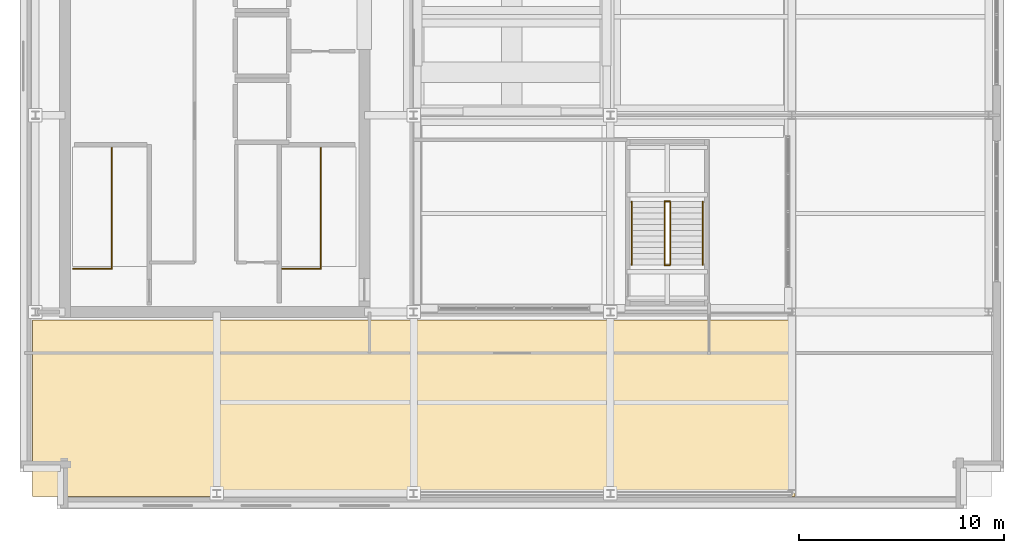
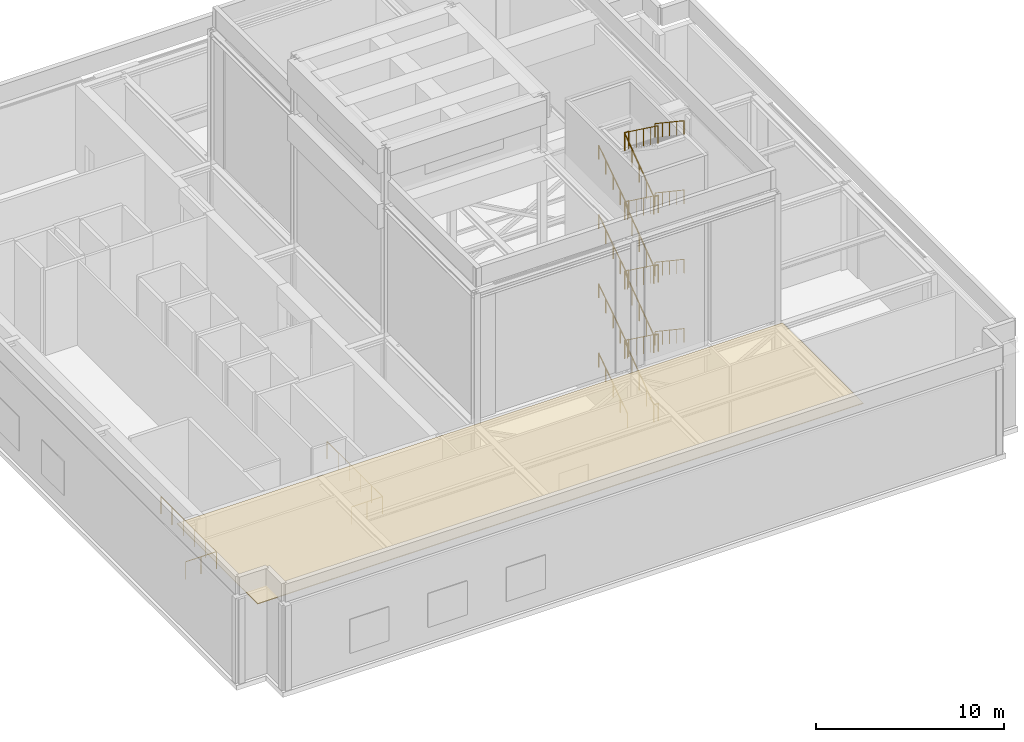
# One storey, part 16 of 17: 26 railings, 1 covering.
"""IFC4 building model written with IfcOpenShell, lengths in metres."""

from ifc_helpers import new_model, si_unit, direction, frame, origin, origin_2d, place, context, subcontext, project, spatial, polyline, circle, outline, extrude, material, layer, layer_set, type_object, element, save


model = new_model("IFC4")

# Units and contexts
model_context = context("Model", 3, precision=1e-05, world=origin(), true_north=direction((0.0, 1.0)))
body_context = subcontext(model_context, "Body", "Model", "MODEL_VIEW")
ifc_project = project(units=[si_unit("LENGTHUNIT", "METRE"), si_unit("AREAUNIT", "SQUARE_METRE"), si_unit("VOLUMEUNIT", "CUBIC_METRE"), si_unit("PLANEANGLEUNIT", "RADIAN"), si_unit("MASSUNIT", "GRAM", prefix="KILO")], contexts=[model_context])

# Site, building, storey
site_placement = place(None, origin())
site = spatial("IfcSite", under=ifc_project, at=site_placement, CompositionType="ELEMENT")
building_placement = place(site_placement, origin())
building = spatial("IfcBuilding", under=site, at=building_placement, Name="Norrvale University Quadrangle", CompositionType="ELEMENT")
storey_placement = place(building_placement, frame((0.0, 0.0, 308.0)))
storey = spatial("IfcBuildingStorey", under=building, at=storey_placement, Name="L78", CompositionType="ELEMENT", Elevation=308.0)

# Covering
ifc_material_1 = material(Name="Inverted EPDM Roofing Membrane")
ifc_layer = layer(ifc_material_1, 0.044921875, Name="Inverted EPDM Roofing Membrane")
ifc_layer_set = layer_set([ifc_layer], Name="Inverted EPDM Roofing Membrane")
covering_type = type_object("IfcCoveringType", Name="Covering Roof Membrane 45", PredefinedType="ROOFING", material=ifc_layer_set)
covering_placement = place(storey_placement, frame((0.0, 0.0, 5.800048828125)))
element("IfcCovering", 1, at=covering_placement, inside=storey, type_object=covering_type, Name="Crown Waterproofing Membrane 1", PredefinedType="ROOFING", context=body_context, shape_type="SweptSolid", body=[
    extrude(outline(polyline([(0.60009765625, 0.60009765625), (37.800048828125, 0.60009765625), (37.800048828125, 9.199951171875), (0.60009765625, 9.199951171875), (0.60009765625, 0.60009765625)])), origin(), (0.0, 0.0, 1.0), 0.044921875),
])

# Railings
ifc_material_2 = material(Name="Steel 350W Painted Balustrade", Category="steel")
railing_type_1 = type_object("IfcRailingType", Name="Railing Stair Guard 1100", PredefinedType="GUARDRAIL", material=ifc_material_2)
for number, where, name in (
    (2, (2.590087890625, 11.7099609375, 0.0), "Top Stairwell Guard ST-01 L78"),
    (3, (12.7900390625, 11.7099609375, 0.0), "Top Stairwell Guard ST-03 L78"),
):
    element("IfcRailing", number, at=place(storey_placement, frame(where)), inside=storey, type_object=railing_type_1, Name=name, PredefinedType="GUARDRAIL", context=body_context, shape_type="SweptSolid", body=[
        extrude(circle(Radius=0.02392578125, at=origin_2d()), frame((0.0, 0.0, 1.1259765625), z_axis=(1.0, 0.0, 0.0), x_axis=(0.0, 1.0, 0.0)), (0.0, 0.0, 1.0), 1.889892578125),
        extrude(circle(Radius=0.02392578125, at=origin_2d()), frame((1.889892578125, 0.0, 1.1259765625), z_axis=(0.0, 1.0, 0.0), x_axis=(-1.0, 0.0, 0.0)), (0.0, 0.0, 1.0), 5.900146484375),
        extrude(circle(Radius=0.02099609375, at=origin_2d()), origin(), (0.0, 0.0, 1.0), 1.101806640625),
        extrude(circle(Radius=0.02099609375, at=origin_2d()), frame((0.94482421875, 0.0, 0.0)), (0.0, 0.0, 1.0), 1.101806640625),
        extrude(circle(Radius=0.02099609375, at=origin_2d()), frame((1.889892578125, 0.0, 0.0)), (0.0, 0.0, 1.0), 1.101806640625),
        extrude(circle(Radius=0.02099609375, at=origin_2d()), frame((1.889892578125, 1.179931640625, 0.0)), (0.0, 0.0, 1.0), 1.101806640625),
        extrude(circle(Radius=0.02099609375, at=origin_2d()), frame((1.889892578125, 2.360107421875, 0.0)), (0.0, 0.0, 1.0), 1.101806640625),
        extrude(circle(Radius=0.02099609375, at=origin_2d()), frame((1.889892578125, 3.5400390625, 0.0)), (0.0, 0.0, 1.0), 1.101806640625),
        extrude(circle(Radius=0.02099609375, at=origin_2d()), frame((1.889892578125, 4.72021484375, 0.0)), (0.0, 0.0, 1.0), 1.101806640625),
        extrude(circle(Radius=0.02099609375, at=origin_2d()), frame((1.889892578125, 5.900146484375, 0.0)), (0.0, 0.0, 1.0), 1.101806640625),
    ])
railing_1_placement = place(storey_placement, frame((31.43994140625, 11.8701171875, 0.0)))
element("IfcRailing", 4, at=railing_1_placement, inside=storey, type_object=railing_type_1, Name="Stair Floor Well Guard ST-04 L78", PredefinedType="GUARDRAIL", context=body_context, shape_type="SweptSolid", body=[
    extrude(circle(Radius=0.02392578125, at=origin_2d()), frame((0.0, 0.0, 1.1259765625), z_axis=(1.0, 0.0, 0.0), x_axis=(0.0, 1.0, 0.0)), (0.0, 0.0, 1.0), 0.27001953125),
    extrude(circle(Radius=0.02099609375, at=origin_2d()), origin(), (0.0, 0.0, 1.0), 1.101806640625),
    extrude(circle(Radius=0.02099609375, at=origin_2d()), frame((0.27001953125, 0.0, 0.0)), (0.0, 0.0, 1.0), 1.101806640625),
])
railing_2_placement = place(storey_placement, frame((31.43994140625, 11.89990234375, 0.0)))
element("IfcRailing", 5, at=railing_2_placement, inside=storey, type_object=railing_type_1, Name="Crown Stair Flight 1 Inner Guard ST-04 L78", PredefinedType="GUARDRAIL", context=body_context, shape_type="SweptSolid", body=[
    extrude(circle(Radius=0.02392578125, at=origin_2d()), frame((0.0, 0.0, 1.1259765625), z_axis=(0.0, 0.807494308864, 0.589875360692), x_axis=(-1.0, 0.0, 0.0)), (0.0, 0.0, 1.0), 3.814453125),
    extrude(circle(Radius=0.02099609375, at=origin_2d()), origin(), (0.0, 0.0, 1.0), 1.101806640625),
    extrude(circle(Radius=0.02099609375, at=origin_2d()), frame((0.0, 0.77001953125, 0.5625)), (0.0, 0.0, 1.0), 1.101806640625),
    extrude(circle(Radius=0.02099609375, at=origin_2d()), frame((0.0, 1.5400390625, 1.125)), (0.0, 0.0, 1.0), 1.101806640625),
    extrude(circle(Radius=0.02099609375, at=origin_2d()), frame((0.0, 2.31005859375, 1.6875)), (0.0, 0.0, 1.0), 1.101806640625),
    extrude(circle(Radius=0.02099609375, at=origin_2d()), frame((0.0, 3.080078125, 2.25)), (0.0, 0.0, 1.0), 1.101806640625),
])
railing_3_placement = place(storey_placement, frame((31.43994140625, 15.010009765625, 2.25)))
element("IfcRailing", 6, at=railing_3_placement, inside=storey, type_object=railing_type_1, Name="Crown Stair Landing 1 Slot Guard ST-04 L78", PredefinedType="GUARDRAIL", context=body_context, shape_type="SweptSolid", body=[
    extrude(circle(Radius=0.02392578125, at=origin_2d()), frame((0.0, 0.0, 1.1259765625), z_axis=(1.0, 0.0, 0.0), x_axis=(0.0, 1.0, 0.0)), (0.0, 0.0, 1.0), 0.27001953125),
    extrude(circle(Radius=0.02099609375, at=origin_2d()), origin(), (0.0, 0.0, 1.0), 1.101806640625),
    extrude(circle(Radius=0.02099609375, at=origin_2d()), frame((0.27001953125, 0.0, 0.0)), (0.0, 0.0, 1.0), 1.101806640625),
])
railing_4_placement = place(storey_placement, frame((31.7099609375, 14.97998046875, 2.25)))
element("IfcRailing", 7, at=railing_4_placement, inside=storey, type_object=railing_type_1, Name="Crown Stair Flight 2 Inner Guard ST-04 L78", PredefinedType="GUARDRAIL", context=body_context, shape_type="SweptSolid", body=[
    extrude(circle(Radius=0.02392578125, at=origin_2d()), frame((0.0, 0.0, 1.1259765625), z_axis=(0.0, -0.807494308864, 0.589875360692), x_axis=(1.0, 0.0, 0.0)), (0.0, 0.0, 1.0), 3.814453125),
    extrude(circle(Radius=0.02099609375, at=origin_2d()), origin(), (0.0, 0.0, 1.0), 1.101806640625),
    extrude(circle(Radius=0.02099609375, at=origin_2d()), frame((0.0, -0.77001953125, 0.5625)), (0.0, 0.0, 1.0), 1.101806640625),
    extrude(circle(Radius=0.02099609375, at=origin_2d()), frame((0.0, -1.5400390625, 1.125)), (0.0, 0.0, 1.0), 1.101806640625),
    extrude(circle(Radius=0.02099609375, at=origin_2d()), frame((0.0, -2.31005859375, 1.6875)), (0.0, 0.0, 1.0), 1.101806640625),
    extrude(circle(Radius=0.02099609375, at=origin_2d()), frame((0.0, -3.080078125, 2.25)), (0.0, 0.0, 1.0), 1.101806640625),
])
railing_5_placement = place(storey_placement, frame((31.43994140625, 11.8701171875, 4.5)))
element("IfcRailing", 8, at=railing_5_placement, inside=storey, type_object=railing_type_1, Name="Crown Stair Landing 2 Slot Guard ST-04 L78", PredefinedType="GUARDRAIL", context=body_context, shape_type="SweptSolid", body=[
    extrude(circle(Radius=0.02392578125, at=origin_2d()), frame((0.0, 0.0, 1.1259765625), z_axis=(1.0, 0.0, 0.0), x_axis=(0.0, 1.0, 0.0)), (0.0, 0.0, 1.0), 0.27001953125),
    extrude(circle(Radius=0.02099609375, at=origin_2d()), origin(), (0.0, 0.0, 1.0), 1.101806640625),
    extrude(circle(Radius=0.02099609375, at=origin_2d()), frame((0.27001953125, 0.0, 0.0)), (0.0, 0.0, 1.0), 1.101806640625),
])
railing_6_placement = place(storey_placement, frame((31.43994140625, 11.89990234375, 4.5)))
element("IfcRailing", 9, at=railing_6_placement, inside=storey, type_object=railing_type_1, Name="Crown Stair Flight 3 Inner Guard ST-04 L78", PredefinedType="GUARDRAIL", context=body_context, shape_type="SweptSolid", body=[
    extrude(circle(Radius=0.02392578125, at=origin_2d()), frame((0.0, 0.0, 1.1259765625), z_axis=(0.0, 0.807494308864, 0.589875360692), x_axis=(-1.0, 0.0, 0.0)), (0.0, 0.0, 1.0), 3.814453125),
    extrude(circle(Radius=0.02099609375, at=origin_2d()), origin(), (0.0, 0.0, 1.0), 1.101806640625),
    extrude(circle(Radius=0.02099609375, at=origin_2d()), frame((0.0, 0.77001953125, 0.5625)), (0.0, 0.0, 1.0), 1.101806640625),
    extrude(circle(Radius=0.02099609375, at=origin_2d()), frame((0.0, 1.5400390625, 1.125)), (0.0, 0.0, 1.0), 1.101806640625),
    extrude(circle(Radius=0.02099609375, at=origin_2d()), frame((0.0, 2.31005859375, 1.6875)), (0.0, 0.0, 1.0), 1.101806640625),
    extrude(circle(Radius=0.02099609375, at=origin_2d()), frame((0.0, 3.080078125, 2.25)), (0.0, 0.0, 1.0), 1.101806640625),
])
railing_7_placement = place(storey_placement, frame((31.43994140625, 15.010009765625, 6.75)))
element("IfcRailing", 10, at=railing_7_placement, inside=storey, type_object=railing_type_1, Name="Crown Stair Landing 3 Slot Guard ST-04 L78", PredefinedType="GUARDRAIL", context=body_context, shape_type="SweptSolid", body=[
    extrude(circle(Radius=0.02392578125, at=origin_2d()), frame((0.0, 0.0, 1.1259765625), z_axis=(1.0, 0.0, 0.0), x_axis=(0.0, 1.0, 0.0)), (0.0, 0.0, 1.0), 0.27001953125),
    extrude(circle(Radius=0.02099609375, at=origin_2d()), origin(), (0.0, 0.0, 1.0), 1.101806640625),
    extrude(circle(Radius=0.02099609375, at=origin_2d()), frame((0.27001953125, 0.0, 0.0)), (0.0, 0.0, 1.0), 1.101806640625),
])
railing_8_placement = place(storey_placement, frame((31.7099609375, 14.97998046875, 6.75)))
element("IfcRailing", 11, at=railing_8_placement, inside=storey, type_object=railing_type_1, Name="Crown Stair Flight 4 Inner Guard ST-04 L78", PredefinedType="GUARDRAIL", context=body_context, shape_type="SweptSolid", body=[
    extrude(circle(Radius=0.02392578125, at=origin_2d()), frame((0.0, 0.0, 1.1259765625), z_axis=(0.0, -0.807494308864, 0.589875360692), x_axis=(1.0, 0.0, 0.0)), (0.0, 0.0, 1.0), 3.814453125),
    extrude(circle(Radius=0.02099609375, at=origin_2d()), origin(), (0.0, 0.0, 1.0), 1.101806640625),
    extrude(circle(Radius=0.02099609375, at=origin_2d()), frame((0.0, -0.77001953125, 0.5625)), (0.0, 0.0, 1.0), 1.101806640625),
    extrude(circle(Radius=0.02099609375, at=origin_2d()), frame((0.0, -1.5400390625, 1.125)), (0.0, 0.0, 1.0), 1.101806640625),
    extrude(circle(Radius=0.02099609375, at=origin_2d()), frame((0.0, -2.31005859375, 1.6875)), (0.0, 0.0, 1.0), 1.101806640625),
    extrude(circle(Radius=0.02099609375, at=origin_2d()), frame((0.0, -3.080078125, 2.25)), (0.0, 0.0, 1.0), 1.101806640625),
])
railing_9_placement = place(storey_placement, frame((31.43994140625, 11.8701171875, 9.0)))
element("IfcRailing", 12, at=railing_9_placement, inside=storey, type_object=railing_type_1, Name="Crown Stair Landing 4 Slot Guard ST-04 L78", PredefinedType="GUARDRAIL", context=body_context, shape_type="SweptSolid", body=[
    extrude(circle(Radius=0.02392578125, at=origin_2d()), frame((0.0, 0.0, 1.1259765625), z_axis=(1.0, 0.0, 0.0), x_axis=(0.0, 1.0, 0.0)), (0.0, 0.0, 1.0), 0.27001953125),
    extrude(circle(Radius=0.02099609375, at=origin_2d()), origin(), (0.0, 0.0, 1.0), 1.101806640625),
    extrude(circle(Radius=0.02099609375, at=origin_2d()), frame((0.27001953125, 0.0, 0.0)), (0.0, 0.0, 1.0), 1.101806640625),
])
railing_10_placement = place(storey_placement, frame((31.43994140625, 11.89990234375, 9.0)))
element("IfcRailing", 13, at=railing_10_placement, inside=storey, type_object=railing_type_1, Name="Crown Stair Flight 5 Inner Guard ST-04 L78", PredefinedType="GUARDRAIL", context=body_context, shape_type="SweptSolid", body=[
    extrude(circle(Radius=0.02392578125, at=origin_2d()), frame((0.0, 0.0, 1.1259765625), z_axis=(0.0, 0.807494308864, 0.589875360692), x_axis=(-1.0, 0.0, 0.0)), (0.0, 0.0, 1.0), 3.814453125),
    extrude(circle(Radius=0.02099609375, at=origin_2d()), origin(), (0.0, 0.0, 1.0), 1.101806640625),
    extrude(circle(Radius=0.02099609375, at=origin_2d()), frame((0.0, 0.77001953125, 0.5625)), (0.0, 0.0, 1.0), 1.101806640625),
    extrude(circle(Radius=0.02099609375, at=origin_2d()), frame((0.0, 1.5400390625, 1.125)), (0.0, 0.0, 1.0), 1.101806640625),
    extrude(circle(Radius=0.02099609375, at=origin_2d()), frame((0.0, 2.31005859375, 1.6875)), (0.0, 0.0, 1.0), 1.101806640625),
    extrude(circle(Radius=0.02099609375, at=origin_2d()), frame((0.0, 3.080078125, 2.25)), (0.0, 0.0, 1.0), 1.101806640625),
])
railing_11_placement = place(storey_placement, frame((31.43994140625, 15.010009765625, 11.25)))
element("IfcRailing", 14, at=railing_11_placement, inside=storey, type_object=railing_type_1, Name="Crown Stair Landing 5 Slot Guard ST-04 L78", PredefinedType="GUARDRAIL", context=body_context, shape_type="SweptSolid", body=[
    extrude(circle(Radius=0.02392578125, at=origin_2d()), frame((0.0, 0.0, 1.1259765625), z_axis=(1.0, 0.0, 0.0), x_axis=(0.0, 1.0, 0.0)), (0.0, 0.0, 1.0), 0.27001953125),
    extrude(circle(Radius=0.02099609375, at=origin_2d()), origin(), (0.0, 0.0, 1.0), 1.101806640625),
    extrude(circle(Radius=0.02099609375, at=origin_2d()), frame((0.27001953125, 0.0, 0.0)), (0.0, 0.0, 1.0), 1.101806640625),
])
railing_12_placement = place(storey_placement, frame((31.7099609375, 14.97998046875, 11.25)))
element("IfcRailing", 15, at=railing_12_placement, inside=storey, type_object=railing_type_1, Name="Crown Stair Flight 6 Inner Guard ST-04 L78", PredefinedType="GUARDRAIL", context=body_context, shape_type="SweptSolid", body=[
    extrude(circle(Radius=0.02392578125, at=origin_2d()), frame((0.0, 0.0, 1.1259765625), z_axis=(0.0, -0.807494308864, 0.589875360692), x_axis=(1.0, 0.0, 0.0)), (0.0, 0.0, 1.0), 3.814453125),
    extrude(circle(Radius=0.02099609375, at=origin_2d()), origin(), (0.0, 0.0, 1.0), 1.101806640625),
    extrude(circle(Radius=0.02099609375, at=origin_2d()), frame((0.0, -0.77001953125, 0.5625)), (0.0, 0.0, 1.0), 1.101806640625),
    extrude(circle(Radius=0.02099609375, at=origin_2d()), frame((0.0, -1.5400390625, 1.125)), (0.0, 0.0, 1.0), 1.101806640625),
    extrude(circle(Radius=0.02099609375, at=origin_2d()), frame((0.0, -2.31005859375, 1.6875)), (0.0, 0.0, 1.0), 1.101806640625),
    extrude(circle(Radius=0.02099609375, at=origin_2d()), frame((0.0, -3.080078125, 2.25)), (0.0, 0.0, 1.0), 1.101806640625),
])
railing_13_placement = place(storey_placement, frame((31.43994140625, 11.8701171875, 13.5)))
element("IfcRailing", 16, at=railing_13_placement, inside=storey, type_object=railing_type_1, Name="Crown Stair Landing 6 Slot Guard ST-04 L78", PredefinedType="GUARDRAIL", context=body_context, shape_type="SweptSolid", body=[
    extrude(circle(Radius=0.02392578125, at=origin_2d()), frame((0.0, 0.0, 1.1259765625), z_axis=(1.0, 0.0, 0.0), x_axis=(0.0, 1.0, 0.0)), (0.0, 0.0, 1.0), 0.27001953125),
    extrude(circle(Radius=0.02099609375, at=origin_2d()), origin(), (0.0, 0.0, 1.0), 1.101806640625),
    extrude(circle(Radius=0.02099609375, at=origin_2d()), frame((0.27001953125, 0.0, 0.0)), (0.0, 0.0, 1.0), 1.101806640625),
])
railing_14_placement = place(storey_placement, frame((31.43994140625, 11.89990234375, 13.5)))
element("IfcRailing", 17, at=railing_14_placement, inside=storey, type_object=railing_type_1, Name="Crown Stair Flight 7 Inner Guard ST-04 L78", PredefinedType="GUARDRAIL", context=body_context, shape_type="SweptSolid", body=[
    extrude(circle(Radius=0.02392578125, at=origin_2d()), frame((0.0, 0.0, 1.1259765625), z_axis=(0.0, 0.807494308864, 0.589875360692), x_axis=(-1.0, 0.0, 0.0)), (0.0, 0.0, 1.0), 3.814453125),
    extrude(circle(Radius=0.02099609375, at=origin_2d()), origin(), (0.0, 0.0, 1.0), 1.101806640625),
    extrude(circle(Radius=0.02099609375, at=origin_2d()), frame((0.0, 0.77001953125, 0.5625)), (0.0, 0.0, 1.0), 1.101806640625),
    extrude(circle(Radius=0.02099609375, at=origin_2d()), frame((0.0, 1.5400390625, 1.125)), (0.0, 0.0, 1.0), 1.101806640625),
    extrude(circle(Radius=0.02099609375, at=origin_2d()), frame((0.0, 2.31005859375, 1.6875)), (0.0, 0.0, 1.0), 1.101806640625),
    extrude(circle(Radius=0.02099609375, at=origin_2d()), frame((0.0, 3.080078125, 2.25)), (0.0, 0.0, 1.0), 1.101806640625),
])
railing_15_placement = place(storey_placement, frame((31.43994140625, 15.010009765625, 15.75)))
element("IfcRailing", 18, at=railing_15_placement, inside=storey, type_object=railing_type_1, Name="Crown Stair Landing 7 Slot Guard ST-04 L78", PredefinedType="GUARDRAIL", context=body_context, shape_type="SweptSolid", body=[
    extrude(circle(Radius=0.02392578125, at=origin_2d()), frame((0.0, 0.0, 1.1259765625), z_axis=(1.0, 0.0, 0.0), x_axis=(0.0, 1.0, 0.0)), (0.0, 0.0, 1.0), 0.27001953125),
    extrude(circle(Radius=0.02099609375, at=origin_2d()), origin(), (0.0, 0.0, 1.0), 1.101806640625),
    extrude(circle(Radius=0.02099609375, at=origin_2d()), frame((0.27001953125, 0.0, 0.0)), (0.0, 0.0, 1.0), 1.101806640625),
])
railing_16_placement = place(storey_placement, frame((31.7099609375, 14.97998046875, 15.75)))
element("IfcRailing", 19, at=railing_16_placement, inside=storey, type_object=railing_type_1, Name="Crown Stair Flight 8 Inner Guard ST-04 L78", PredefinedType="GUARDRAIL", context=body_context, shape_type="SweptSolid", body=[
    extrude(circle(Radius=0.02392578125, at=origin_2d()), frame((0.0, 0.0, 1.1259765625), z_axis=(0.0, -0.807494308864, 0.589875360692), x_axis=(1.0, 0.0, 0.0)), (0.0, 0.0, 1.0), 3.814453125),
    extrude(circle(Radius=0.02099609375, at=origin_2d()), origin(), (0.0, 0.0, 1.0), 1.101806640625),
    extrude(circle(Radius=0.02099609375, at=origin_2d()), frame((0.0, -0.77001953125, 0.5625)), (0.0, 0.0, 1.0), 1.101806640625),
    extrude(circle(Radius=0.02099609375, at=origin_2d()), frame((0.0, -1.5400390625, 1.125)), (0.0, 0.0, 1.0), 1.101806640625),
    extrude(circle(Radius=0.02099609375, at=origin_2d()), frame((0.0, -2.31005859375, 1.6875)), (0.0, 0.0, 1.0), 1.101806640625),
    extrude(circle(Radius=0.02099609375, at=origin_2d()), frame((0.0, -3.080078125, 2.25)), (0.0, 0.0, 1.0), 1.101806640625),
])
ifc_material_3 = material(Name="Stainless Steel 316L Handrail", Category="steel")
railing_type_2 = type_object("IfcRailingType", Name="Railing Stair Handrail 920", PredefinedType="HANDRAIL", material=ifc_material_3)
railing_17_placement = place(storey_placement, frame((29.840087890625, 11.89990234375, 0.1875)))
element("IfcRailing", 20, at=railing_17_placement, inside=storey, type_object=railing_type_2, Name="Crown Stair Flight 1 Handrail ST-04 L78", PredefinedType="HANDRAIL", context=body_context, shape_type="SweptSolid", body=[
    extrude(circle(Radius=0.02392578125, at=origin_2d()), frame((0.0, 0.0, 0.89599609375), z_axis=(0.0, 0.830913701846, 0.55640131208), x_axis=(-1.0, 0.0, 0.0)), (0.0, 0.0, 1.0), 3.706787109375),
    extrude(circle(Radius=0.02099609375, at=origin_2d()), origin(), (0.0, 0.0, 1.0), 0.871826171875),
    extrude(circle(Radius=0.02099609375, at=origin_2d()), frame((0.0, 0.77001953125, 0.515625)), (0.0, 0.0, 1.0), 0.871826171875),
    extrude(circle(Radius=0.02099609375, at=origin_2d()), frame((0.0, 1.5400390625, 1.03125)), (0.0, 0.0, 1.0), 0.871826171875),
    extrude(circle(Radius=0.02099609375, at=origin_2d()), frame((0.0, 2.31005859375, 1.546875)), (0.0, 0.0, 1.0), 0.871826171875),
    extrude(circle(Radius=0.02099609375, at=origin_2d()), frame((0.0, 3.080078125, 2.0625)), (0.0, 0.0, 1.0), 0.871826171875),
])
railing_18_placement = place(storey_placement, frame((33.31005859375, 14.97998046875, 2.4375)))
element("IfcRailing", 21, at=railing_18_placement, inside=storey, type_object=railing_type_2, Name="Crown Stair Flight 2 Handrail ST-04 L78", PredefinedType="HANDRAIL", context=body_context, shape_type="SweptSolid", body=[
    extrude(circle(Radius=0.02392578125, at=origin_2d()), frame((0.0, 0.0, 0.89599609375), z_axis=(0.0, -0.830913701846, 0.55640131208), x_axis=(1.0, 0.0, 0.0)), (0.0, 0.0, 1.0), 3.706787109375),
    extrude(circle(Radius=0.02099609375, at=origin_2d()), origin(), (0.0, 0.0, 1.0), 0.871826171875),
    extrude(circle(Radius=0.02099609375, at=origin_2d()), frame((0.0, -0.77001953125, 0.515625)), (0.0, 0.0, 1.0), 0.871826171875),
    extrude(circle(Radius=0.02099609375, at=origin_2d()), frame((0.0, -1.5400390625, 1.03125)), (0.0, 0.0, 1.0), 0.871826171875),
    extrude(circle(Radius=0.02099609375, at=origin_2d()), frame((0.0, -2.31005859375, 1.546875)), (0.0, 0.0, 1.0), 0.871826171875),
    extrude(circle(Radius=0.02099609375, at=origin_2d()), frame((0.0, -3.080078125, 2.0625)), (0.0, 0.0, 1.0), 0.871826171875),
])
railing_19_placement = place(storey_placement, frame((29.840087890625, 11.89990234375, 4.6875)))
element("IfcRailing", 22, at=railing_19_placement, inside=storey, type_object=railing_type_2, Name="Crown Stair Flight 3 Handrail ST-04 L78", PredefinedType="HANDRAIL", context=body_context, shape_type="SweptSolid", body=[
    extrude(circle(Radius=0.02392578125, at=origin_2d()), frame((0.0, 0.0, 0.89599609375), z_axis=(0.0, 0.830913701846, 0.55640131208), x_axis=(-1.0, 0.0, 0.0)), (0.0, 0.0, 1.0), 3.706787109375),
    extrude(circle(Radius=0.02099609375, at=origin_2d()), origin(), (0.0, 0.0, 1.0), 0.871826171875),
    extrude(circle(Radius=0.02099609375, at=origin_2d()), frame((0.0, 0.77001953125, 0.515625)), (0.0, 0.0, 1.0), 0.871826171875),
    extrude(circle(Radius=0.02099609375, at=origin_2d()), frame((0.0, 1.5400390625, 1.03125)), (0.0, 0.0, 1.0), 0.871826171875),
    extrude(circle(Radius=0.02099609375, at=origin_2d()), frame((0.0, 2.31005859375, 1.546875)), (0.0, 0.0, 1.0), 0.871826171875),
    extrude(circle(Radius=0.02099609375, at=origin_2d()), frame((0.0, 3.080078125, 2.0625)), (0.0, 0.0, 1.0), 0.871826171875),
])
railing_20_placement = place(storey_placement, frame((33.31005859375, 14.97998046875, 6.9375)))
element("IfcRailing", 23, at=railing_20_placement, inside=storey, type_object=railing_type_2, Name="Crown Stair Flight 4 Handrail ST-04 L78", PredefinedType="HANDRAIL", context=body_context, shape_type="SweptSolid", body=[
    extrude(circle(Radius=0.02392578125, at=origin_2d()), frame((0.0, 0.0, 0.89599609375), z_axis=(0.0, -0.830913701846, 0.55640131208), x_axis=(1.0, 0.0, 0.0)), (0.0, 0.0, 1.0), 3.706787109375),
    extrude(circle(Radius=0.02099609375, at=origin_2d()), origin(), (0.0, 0.0, 1.0), 0.871826171875),
    extrude(circle(Radius=0.02099609375, at=origin_2d()), frame((0.0, -0.77001953125, 0.515625)), (0.0, 0.0, 1.0), 0.871826171875),
    extrude(circle(Radius=0.02099609375, at=origin_2d()), frame((0.0, -1.5400390625, 1.03125)), (0.0, 0.0, 1.0), 0.871826171875),
    extrude(circle(Radius=0.02099609375, at=origin_2d()), frame((0.0, -2.31005859375, 1.546875)), (0.0, 0.0, 1.0), 0.871826171875),
    extrude(circle(Radius=0.02099609375, at=origin_2d()), frame((0.0, -3.080078125, 2.0625)), (0.0, 0.0, 1.0), 0.871826171875),
])
railing_21_placement = place(storey_placement, frame((29.840087890625, 11.89990234375, 9.1875)))
element("IfcRailing", 24, at=railing_21_placement, inside=storey, type_object=railing_type_2, Name="Crown Stair Flight 5 Handrail ST-04 L78", PredefinedType="HANDRAIL", context=body_context, shape_type="SweptSolid", body=[
    extrude(circle(Radius=0.02392578125, at=origin_2d()), frame((0.0, 0.0, 0.89599609375), z_axis=(0.0, 0.830913701846, 0.55640131208), x_axis=(-1.0, 0.0, 0.0)), (0.0, 0.0, 1.0), 3.706787109375),
    extrude(circle(Radius=0.02099609375, at=origin_2d()), origin(), (0.0, 0.0, 1.0), 0.871826171875),
    extrude(circle(Radius=0.02099609375, at=origin_2d()), frame((0.0, 0.77001953125, 0.515625)), (0.0, 0.0, 1.0), 0.871826171875),
    extrude(circle(Radius=0.02099609375, at=origin_2d()), frame((0.0, 1.5400390625, 1.03125)), (0.0, 0.0, 1.0), 0.871826171875),
    extrude(circle(Radius=0.02099609375, at=origin_2d()), frame((0.0, 2.31005859375, 1.546875)), (0.0, 0.0, 1.0), 0.871826171875),
    extrude(circle(Radius=0.02099609375, at=origin_2d()), frame((0.0, 3.080078125, 2.0625)), (0.0, 0.0, 1.0), 0.871826171875),
])
railing_22_placement = place(storey_placement, frame((33.31005859375, 14.97998046875, 11.4375)))
element("IfcRailing", 25, at=railing_22_placement, inside=storey, type_object=railing_type_2, Name="Crown Stair Flight 6 Handrail ST-04 L78", PredefinedType="HANDRAIL", context=body_context, shape_type="SweptSolid", body=[
    extrude(circle(Radius=0.02392578125, at=origin_2d()), frame((0.0, 0.0, 0.89599609375), z_axis=(0.0, -0.830913701846, 0.55640131208), x_axis=(1.0, 0.0, 0.0)), (0.0, 0.0, 1.0), 3.706787109375),
    extrude(circle(Radius=0.02099609375, at=origin_2d()), origin(), (0.0, 0.0, 1.0), 0.871826171875),
    extrude(circle(Radius=0.02099609375, at=origin_2d()), frame((0.0, -0.77001953125, 0.515625)), (0.0, 0.0, 1.0), 0.871826171875),
    extrude(circle(Radius=0.02099609375, at=origin_2d()), frame((0.0, -1.5400390625, 1.03125)), (0.0, 0.0, 1.0), 0.871826171875),
    extrude(circle(Radius=0.02099609375, at=origin_2d()), frame((0.0, -2.31005859375, 1.546875)), (0.0, 0.0, 1.0), 0.871826171875),
    extrude(circle(Radius=0.02099609375, at=origin_2d()), frame((0.0, -3.080078125, 2.0625)), (0.0, 0.0, 1.0), 0.871826171875),
])
railing_23_placement = place(storey_placement, frame((29.840087890625, 11.89990234375, 13.6875)))
element("IfcRailing", 26, at=railing_23_placement, inside=storey, type_object=railing_type_2, Name="Crown Stair Flight 7 Handrail ST-04 L78", PredefinedType="HANDRAIL", context=body_context, shape_type="SweptSolid", body=[
    extrude(circle(Radius=0.02392578125, at=origin_2d()), frame((0.0, 0.0, 0.89599609375), z_axis=(0.0, 0.830913701846, 0.55640131208), x_axis=(-1.0, 0.0, 0.0)), (0.0, 0.0, 1.0), 3.706787109375),
    extrude(circle(Radius=0.02099609375, at=origin_2d()), origin(), (0.0, 0.0, 1.0), 0.871826171875),
    extrude(circle(Radius=0.02099609375, at=origin_2d()), frame((0.0, 0.77001953125, 0.515625)), (0.0, 0.0, 1.0), 0.871826171875),
    extrude(circle(Radius=0.02099609375, at=origin_2d()), frame((0.0, 1.5400390625, 1.03125)), (0.0, 0.0, 1.0), 0.871826171875),
    extrude(circle(Radius=0.02099609375, at=origin_2d()), frame((0.0, 2.31005859375, 1.546875)), (0.0, 0.0, 1.0), 0.871826171875),
    extrude(circle(Radius=0.02099609375, at=origin_2d()), frame((0.0, 3.080078125, 2.0625)), (0.0, 0.0, 1.0), 0.871826171875),
])
railing_24_placement = place(storey_placement, frame((33.31005859375, 14.97998046875, 15.9375)))
element("IfcRailing", 27, at=railing_24_placement, inside=storey, type_object=railing_type_2, Name="Crown Stair Flight 8 Handrail ST-04 L78", PredefinedType="HANDRAIL", context=body_context, shape_type="SweptSolid", body=[
    extrude(circle(Radius=0.02392578125, at=origin_2d()), frame((0.0, 0.0, 0.89599609375), z_axis=(0.0, -0.830913701846, 0.55640131208), x_axis=(1.0, 0.0, 0.0)), (0.0, 0.0, 1.0), 3.706787109375),
    extrude(circle(Radius=0.02099609375, at=origin_2d()), origin(), (0.0, 0.0, 1.0), 0.871826171875),
    extrude(circle(Radius=0.02099609375, at=origin_2d()), frame((0.0, -0.77001953125, 0.515625)), (0.0, 0.0, 1.0), 0.871826171875),
    extrude(circle(Radius=0.02099609375, at=origin_2d()), frame((0.0, -1.5400390625, 1.03125)), (0.0, 0.0, 1.0), 0.871826171875),
    extrude(circle(Radius=0.02099609375, at=origin_2d()), frame((0.0, -2.31005859375, 1.546875)), (0.0, 0.0, 1.0), 0.871826171875),
    extrude(circle(Radius=0.02099609375, at=origin_2d()), frame((0.0, -3.080078125, 2.0625)), (0.0, 0.0, 1.0), 0.871826171875),
])

save(model, "model.ifc")
